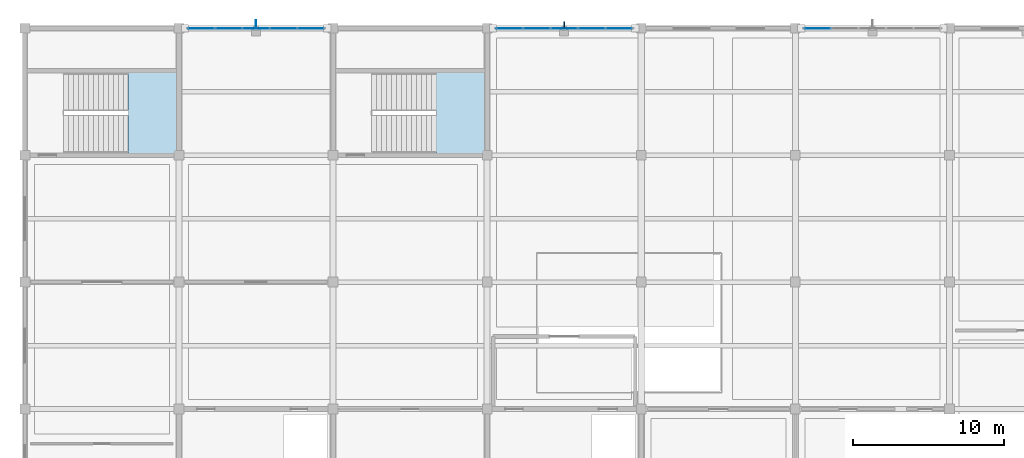
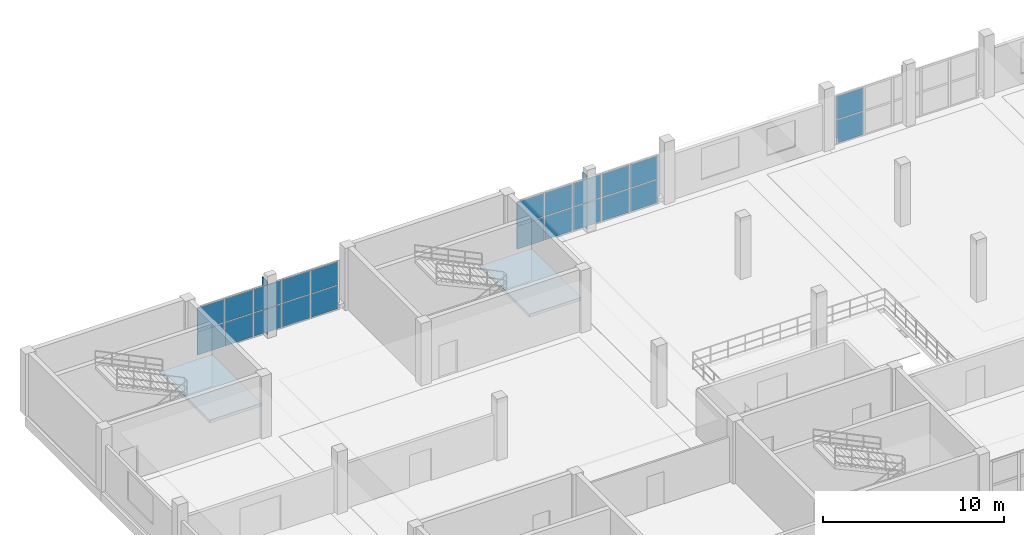
# One storey, part 114 of 135: 24 plates, 2 slabs, 5 elements without a shape of their own.
"""IFC4 building model written with IfcOpenShell, lengths in metres."""

import ifcopenshell
import ifcopenshell.guid

model = None  # the IFC model being written
_history = None  # IfcOwnerHistory: only IFC2X3 demands one
_inside = {}  # id of a spatial element -> (the spatial element, [elements in it])
_under = {}  # id of a project, library or spatial element -> (it, [spatial elements below it])
_declared = {}  # id of a project -> (the project, [libraries it declares])
_typed = {}  # id of a type object -> (the type object, [elements of that type])
_made_of = {}  # id of a material, layer set ... -> (it, [elements and type objects made of it])


def new_model(schema):
    """Start an empty IFC model of exactly this schema.

    Asked for "IFC4X3", IfcOpenShell would pick the latest addendum, in which some entities
    have other attributes; the version numbers below select the first issue.
    IFC2X3 requires an IfcOwnerHistory on every rooted entity: one is made here for all.
    """
    global model, _history
    if schema == "IFC4X3":
        model = ifcopenshell.file(schema_version=(4, 3, 0, 0))
    else:
        model = ifcopenshell.file(schema=schema)
    _inside.clear()
    _under.clear()
    _declared.clear()
    _typed.clear()
    _made_of.clear()
    _history = None
    if model.schema == "IFC2X3":
        org = make("IfcOrganization", Name="unknown")
        user = make(
            "IfcPersonAndOrganization",
            ThePerson=make("IfcPerson", FamilyName="unknown"),
            TheOrganization=org,
        )
        app = make(
            "IfcApplication",
            ApplicationDeveloper=org,
            Version="unknown",
            ApplicationFullName="unknown",
            ApplicationIdentifier="unknown",
        )
        _history = make(
            "IfcOwnerHistory",
            OwningUser=user,
            OwningApplication=app,
            ChangeAction="ADDED",
            CreationDate=0,
        )
    return model


def make(cls, **values):
    """One entity of the class cls with the attributes given. An attribute that is None is left unset."""
    return model.create_entity(
        cls, **{name: value for name, value in values.items() if value is not None}
    )


def rooted(cls, **values):
    """An entity with a GlobalId (a new one), such as an element, a storey or a relation."""
    return make(cls, GlobalId=ifcopenshell.guid.new(), OwnerHistory=_history, **values)


def si_unit(unit_type, name, prefix=None):
    """IfcSIUnit, for example si_unit("LENGTHUNIT", "METRE", prefix="MILLI")."""
    return make("IfcSIUnit", UnitType=unit_type, Prefix=prefix, Name=name)


def assignment(units):
    """IfcUnitAssignment: the units of a project."""
    return None if units is None else make("IfcUnitAssignment", Units=units)


def point(xyz):
    """IfcCartesianPoint."""
    return None if xyz is None else make("IfcCartesianPoint", Coordinates=xyz)


def direction(xyz):
    """IfcDirection."""
    return None if xyz is None else make("IfcDirection", DirectionRatios=xyz)


def frame(location, z_axis=None, x_axis=None):
    """IfcAxis2Placement3D, a coordinate frame: its origin and axes. An axis left out is left unset."""
    return make(
        "IfcAxis2Placement3D",
        Location=point(location),
        Axis=direction(z_axis),
        RefDirection=direction(x_axis),
    )


def frame_2d(location, x_axis=None):
    """IfcAxis2Placement2D, a coordinate frame in the plane: its origin and x axis."""
    return make(
        "IfcAxis2Placement2D", Location=point(location), RefDirection=direction(x_axis)
    )


def origin():
    """The frame at (0, 0, 0) with its axes left unset."""
    return frame((0.0, 0.0, 0.0))


def origin_2d():
    """The frame at (0, 0) in the plane with its x axis left unset."""
    return frame_2d((0.0, 0.0))


def place(relative_to, where):
    """IfcLocalPlacement: puts the frame where relative to a parent placement (None: the world)."""
    return make(
        "IfcLocalPlacement", PlacementRelTo=relative_to, RelativePlacement=where
    )


def context(
    kind, dimensions, precision=None, world=None, true_north=None, identifier=None
):
    """IfcGeometricRepresentationContext, for example the 3D "Model" context."""
    return make(
        "IfcGeometricRepresentationContext",
        ContextIdentifier=identifier,
        ContextType=kind,
        CoordinateSpaceDimension=dimensions,
        Precision=precision,
        WorldCoordinateSystem=world,
        TrueNorth=true_north,
    )


def subcontext(parent, identifier, kind, view, scale=None):
    """IfcGeometricRepresentationSubContext, for example "Body" below "Model"."""
    return make(
        "IfcGeometricRepresentationSubContext",
        ContextIdentifier=identifier,
        ContextType=kind,
        ParentContext=parent,
        TargetScale=scale,
        TargetView=view,
    )


def project(units=None, contexts=None):
    """IfcProject with its units and contexts."""
    return rooted(
        "IfcProject",
        Name="project",
        RepresentationContexts=contexts,
        UnitsInContext=assignment(units),
    )


def spatial(cls, under=None, at=None, **own):
    """A site, building, storey or space (cls), placed at a placement, below another one or the project."""
    s = rooted(cls, ObjectPlacement=at, **own)
    if under is not None:
        _under.setdefault(under.id(), (under, []))[1].append(s)
    return s


def polyline(points):
    """IfcPolyline through the points."""
    return make("IfcPolyline", Points=[point(p) for p in points])


def profile(cls, at=None, kind="AREA", **sizes):
    """A parametric profile (cls). Its sizes go by their IFC names, for example OverallWidth=200.0."""
    return make(cls, ProfileType=kind, Position=at, **sizes)


def rectangle(**sizes):
    """IfcRectangleProfileDef."""
    return profile("IfcRectangleProfileDef", **sizes)


def outline(outer, holes=None, kind="AREA"):
    """IfcArbitraryClosedProfileDef: a profile drawn as a closed curve; with holes, ...WithVoids."""
    if holes is None:
        return make("IfcArbitraryClosedProfileDef", ProfileType=kind, OuterCurve=outer)
    return make(
        "IfcArbitraryProfileDefWithVoids",
        ProfileType=kind,
        OuterCurve=outer,
        InnerCurves=holes,
    )


def extrude(swept, where, along, depth):
    """IfcExtrudedAreaSolid: the profile swept, set in the frame where, extruded along a direction by depth."""
    return make(
        "IfcExtrudedAreaSolid",
        SweptArea=swept,
        Position=where,
        ExtrudedDirection=direction(along),
        Depth=depth,
    )


def shape(context_of_items, identifier, shape_type, items):
    """IfcShapeRepresentation: the items that make up one representation, for example the "Body"."""
    return make(
        "IfcShapeRepresentation",
        ContextOfItems=context_of_items,
        RepresentationIdentifier=identifier,
        RepresentationType=shape_type,
        Items=items,
    )


def material(Name=None, Category=None):
    """IfcMaterial."""
    return make("IfcMaterial", Name=Name, Category=Category)


def layer(
    of_material, thickness, ventilated=None, Name=None, Category=None, Priority=None
):
    """IfcMaterialLayer: one layer of a wall or slab, of a material (None: an air gap)."""
    return make(
        "IfcMaterialLayer",
        Material=of_material,
        LayerThickness=thickness,
        IsVentilated=ventilated,
        Name=Name,
        Category=Category,
        Priority=Priority,
    )


def layer_set(layers, Name=None):
    """IfcMaterialLayerSet."""
    return make("IfcMaterialLayerSet", MaterialLayers=layers, LayerSetName=Name)


def made_of(thing, what):
    """Note that an element or type object is made of a material, layer set ...; save() writes the relation."""
    if what is not None:
        _made_of.setdefault(what.id(), (what, []))[1].append(thing)
    return thing


def type_object(cls, material=None, **own):
    """A type object (cls), such as IfcWallType, which elements share."""
    return made_of(rooted(cls, **own), material)


def element(
    cls,
    number,
    at=None,
    inside=None,
    cuts=None,
    type_object=None,
    material=None,
    context=None,
    identifier="Body",
    shape_type=None,
    held_by="IfcProductDefinitionShape",
    body=None,
    shapes=None,
    **own,
):
    """One element of the class cls, such as IfcWall. Its Tag is "e" and its number.

    at: its placement. inside: the storey or other place that contains it. cuts: it is an
    opening in that element (IfcRelVoidsElement). A single representation is given by context,
    identifier, shape_type and body (its items); several are given by shapes. held_by: the class
    of the entity that holds the representations. save() writes the other relations.
    """
    e = rooted(cls, Tag="e%d" % number, ObjectPlacement=at, **own)
    if body is not None:
        shapes = [shape(context, identifier, shape_type, body)]
    if shapes is not None:
        e.Representation = make(held_by, Representations=shapes)
    if inside is not None:
        _inside.setdefault(inside.id(), (inside, []))[1].append(e)
    if cuts is not None:
        rooted(
            "IfcRelVoidsElement", RelatingBuildingElement=cuts, RelatedOpeningElement=e
        )
    if type_object is not None:
        _typed.setdefault(type_object.id(), (type_object, []))[1].append(e)
    return made_of(e, material)


def aggregate(whole, parts):
    """IfcRelAggregates: a whole, such as a stair, and the parts it consists of."""
    return rooted("IfcRelAggregates", RelatingObject=whole, RelatedObjects=parts)


def save(model, path):
    """Write the relations noted so far, then the file.

    IfcRelAggregates (storeys below a building ...), IfcRelContainedInSpatialStructure (elements
    in a storey), IfcRelDefinesByType, IfcRelAssociatesMaterial and IfcRelDeclares: one each for
    every whole, place, type object, material and project.
    """
    for whole, parts in _under.values():
        aggregate(whole, parts)
    for where, things in _inside.values():
        rooted(
            "IfcRelContainedInSpatialStructure",
            RelatedElements=things,
            RelatingStructure=where,
        )
    for kind, things in _typed.values():
        rooted("IfcRelDefinesByType", RelatedObjects=things, RelatingType=kind)
    for what, things in _made_of.values():
        rooted("IfcRelAssociatesMaterial", RelatedObjects=things, RelatingMaterial=what)
    for by, libraries in _declared.values():
        rooted("IfcRelDeclares", RelatingContext=by, RelatedDefinitions=libraries)
    model.write(path)


model = new_model("IFC4")

# Units and contexts
model_context = context("Model", 3, precision=1e-05, world=origin(), true_north=direction((0.0, 1.0)))
body_context = subcontext(model_context, "Body", "Model", "MODEL_VIEW")
ifc_project = project(units=[si_unit("LENGTHUNIT", "METRE"), si_unit("AREAUNIT", "SQUARE_METRE"), si_unit("VOLUMEUNIT", "CUBIC_METRE"), si_unit("PLANEANGLEUNIT", "RADIAN"), si_unit("MASSUNIT", "GRAM", prefix="KILO")], contexts=[model_context])

# Site, building, storey
site_placement = place(None, origin())
site = spatial("IfcSite", under=ifc_project, at=site_placement, CompositionType="ELEMENT")
building_placement = place(site_placement, origin())
building = spatial("IfcBuilding", under=site, at=building_placement, Name="Brelvane Convention Centre", CompositionType="ELEMENT")
storey_placement = place(building_placement, frame((0.0, 0.0, 15.0)))
storey = spatial("IfcBuildingStorey", under=building, at=storey_placement, Name="L03", CompositionType="ELEMENT", Elevation=15.0)

# Curtain wall, plates
ifc_material_1 = material(Name="Anodised Aluminium Alloy 6063-T6", Category="aluminium")
curtain_wall_type = type_object("IfcCurtainWallType", Name="Curtain Wall CW-BOUL", PredefinedType="USERDEFINED", material=ifc_material_1)
curtain_wall_1_placement = place(storey_placement, origin())
curtain_wall_1 = element("IfcCurtainWall", 1, at=curtain_wall_1_placement, inside=storey, type_object=curtain_wall_type, Name="Curtain Wall CW-BOUL L03-V4N-02", ObjectType="UNITISED", PredefinedType="USERDEFINED")
ifc_material_2 = material(Name="Double Glazed Low-E Laminated Unit")
ifc_layer_1 = layer(ifc_material_2, 0.0380859375)
ifc_layer_set_1 = layer_set([ifc_layer_1], Name="Double Glazed Low-E Laminated Unit")
plate_type_1 = type_object("IfcPlateType", Name="Curtain Panel CW-PG2", PredefinedType="CURTAIN_PANEL", material=ifc_layer_set_1)
plate_1_placement = place(storey_placement, frame((11.67626953125, 144.0, 0.06005859375), z_axis=(0.0, 0.0, 1.0), x_axis=(1.0, 0.0, 0.0)))
plate_1 = element("IfcPlate", 2, at=plate_1_placement, type_object=plate_type_1, Name="CW-BOUL panel 1.1", PredefinedType="CURTAIN_PANEL", context=body_context, shape_type="SweptSolid", body=[
    extrude(rectangle(XDim=1.722412109375, YDim=0.0380859375, at=origin_2d()), origin(), (0.0, 0.0, 1.0), 1.56005859375),
])
plate_2_placement = place(storey_placement, frame((11.67626953125, 144.0, 1.679931640625), z_axis=(0.0, 0.0, 1.0), x_axis=(1.0, 0.0, 0.0)))
plate_2 = element("IfcPlate", 3, at=plate_2_placement, type_object=plate_type_1, Name="CW-BOUL panel 1.2", PredefinedType="CURTAIN_PANEL", context=body_context, shape_type="SweptSolid", body=[
    extrude(rectangle(XDim=1.722412109375, YDim=0.0380859375, at=origin_2d()), origin(), (0.0, 0.0, 1.0), 1.56005859375),
])
plate_3_placement = place(storey_placement, frame((13.47998046875, 144.0, 0.06005859375), z_axis=(0.0, 0.0, 1.0), x_axis=(1.0, 0.0, 0.0)))
plate_3 = element("IfcPlate", 4, at=plate_3_placement, type_object=plate_type_1, Name="CW-BOUL panel 2.1", PredefinedType="CURTAIN_PANEL", context=body_context, shape_type="SweptSolid", body=[
    extrude(rectangle(XDim=1.7548828125, YDim=0.0380859375, at=origin_2d()), origin(), (0.0, 0.0, 1.0), 1.56005859375),
])
plate_4_placement = place(storey_placement, frame((13.47998046875, 144.0, 1.679931640625), z_axis=(0.0, 0.0, 1.0), x_axis=(1.0, 0.0, 0.0)))
plate_4 = element("IfcPlate", 5, at=plate_4_placement, type_object=plate_type_1, Name="CW-BOUL panel 2.2", PredefinedType="CURTAIN_PANEL", context=body_context, shape_type="SweptSolid", body=[
    extrude(rectangle(XDim=1.7548828125, YDim=0.0380859375, at=origin_2d()), origin(), (0.0, 0.0, 1.0), 1.56005859375),
])
plate_5_placement = place(storey_placement, frame((15.300048828125, 144.0, 0.06005859375), z_axis=(0.0, 0.0, 1.0), x_axis=(1.0, 0.0, 0.0)))
plate_5 = element("IfcPlate", 6, at=plate_5_placement, type_object=plate_type_1, Name="CW-BOUL panel 3.1", PredefinedType="CURTAIN_PANEL", context=body_context, shape_type="SweptSolid", body=[
    extrude(rectangle(XDim=1.7548828125, YDim=0.0380859375, at=origin_2d()), origin(), (0.0, 0.0, 1.0), 1.56005859375),
])
plate_6_placement = place(storey_placement, frame((15.300048828125, 144.0, 1.679931640625), z_axis=(0.0, 0.0, 1.0), x_axis=(1.0, 0.0, 0.0)))
plate_6 = element("IfcPlate", 7, at=plate_6_placement, type_object=plate_type_1, Name="CW-BOUL panel 3.2", PredefinedType="CURTAIN_PANEL", context=body_context, shape_type="SweptSolid", body=[
    extrude(rectangle(XDim=1.7548828125, YDim=0.0380859375, at=origin_2d()), origin(), (0.0, 0.0, 1.0), 1.56005859375),
])
plate_7_placement = place(storey_placement, frame((17.1201171875, 144.0, 0.06005859375), z_axis=(0.0, 0.0, 1.0), x_axis=(1.0, 0.0, 0.0)))
plate_7 = element("IfcPlate", 8, at=plate_7_placement, type_object=plate_type_1, Name="CW-BOUL panel 4.1", PredefinedType="CURTAIN_PANEL", context=body_context, shape_type="SweptSolid", body=[
    extrude(rectangle(XDim=1.7548828125, YDim=0.0380859375, at=origin_2d()), origin(), (0.0, 0.0, 1.0), 1.56005859375),
])
plate_8_placement = place(storey_placement, frame((17.1201171875, 144.0, 1.679931640625), z_axis=(0.0, 0.0, 1.0), x_axis=(1.0, 0.0, 0.0)))
plate_8 = element("IfcPlate", 9, at=plate_8_placement, type_object=plate_type_1, Name="CW-BOUL panel 4.2", PredefinedType="CURTAIN_PANEL", context=body_context, shape_type="SweptSolid", body=[
    extrude(rectangle(XDim=1.7548828125, YDim=0.0380859375, at=origin_2d()), origin(), (0.0, 0.0, 1.0), 1.56005859375),
])
plate_9_placement = place(storey_placement, frame((18.923828125, 144.0, 0.06005859375), z_axis=(0.0, 0.0, 1.0), x_axis=(1.0, 0.0, 0.0)))
plate_9 = element("IfcPlate", 10, at=plate_9_placement, type_object=plate_type_1, Name="CW-BOUL panel 5.1", PredefinedType="CURTAIN_PANEL", context=body_context, shape_type="SweptSolid", body=[
    extrude(rectangle(XDim=1.722412109375, YDim=0.0380859375, at=origin_2d()), origin(), (0.0, 0.0, 1.0), 1.56005859375),
])
plate_10_placement = place(storey_placement, frame((18.923828125, 144.0, 1.679931640625), z_axis=(0.0, 0.0, 1.0), x_axis=(1.0, 0.0, 0.0)))
plate_10 = element("IfcPlate", 11, at=plate_10_placement, type_object=plate_type_1, Name="CW-BOUL panel 5.2", PredefinedType="CURTAIN_PANEL", context=body_context, shape_type="SweptSolid", body=[
    extrude(rectangle(XDim=1.722412109375, YDim=0.0380859375, at=origin_2d()), origin(), (0.0, 0.0, 1.0), 1.56005859375),
])
aggregate(curtain_wall_1, [plate_1, plate_2, plate_3, plate_4, plate_5, plate_6, plate_7, plate_8, plate_9, plate_10])

curtain_wall_2_placement = place(storey_placement, origin())
curtain_wall_2 = element("IfcCurtainWall", 12, at=curtain_wall_2_placement, inside=storey, type_object=curtain_wall_type, Name="Curtain Wall CW-BOUL L03-V4N-04", ObjectType="UNITISED", PredefinedType="USERDEFINED")
plate_11_placement = place(storey_placement, frame((32.076171875, 144.0, 0.06005859375), z_axis=(0.0, 0.0, 1.0), x_axis=(1.0, 0.0, 0.0)))
plate_11 = element("IfcPlate", 13, at=plate_11_placement, type_object=plate_type_1, Name="CW-BOUL panel 1.1", PredefinedType="CURTAIN_PANEL", context=body_context, shape_type="SweptSolid", body=[
    extrude(rectangle(XDim=1.722412109375, YDim=0.0380859375, at=origin_2d()), origin(), (0.0, 0.0, 1.0), 1.56005859375),
])
plate_12_placement = place(storey_placement, frame((32.076171875, 144.0, 1.679931640625), z_axis=(0.0, 0.0, 1.0), x_axis=(1.0, 0.0, 0.0)))
plate_12 = element("IfcPlate", 14, at=plate_12_placement, type_object=plate_type_1, Name="CW-BOUL panel 1.2", PredefinedType="CURTAIN_PANEL", context=body_context, shape_type="SweptSolid", body=[
    extrude(rectangle(XDim=1.722412109375, YDim=0.0380859375, at=origin_2d()), origin(), (0.0, 0.0, 1.0), 1.56005859375),
])
plate_13_placement = place(storey_placement, frame((33.8798828125, 144.0, 0.06005859375), z_axis=(0.0, 0.0, 1.0), x_axis=(1.0, 0.0, 0.0)))
plate_13 = element("IfcPlate", 15, at=plate_13_placement, type_object=plate_type_1, Name="CW-BOUL panel 2.1", PredefinedType="CURTAIN_PANEL", context=body_context, shape_type="SweptSolid", body=[
    extrude(rectangle(XDim=1.7548828125, YDim=0.0380859375, at=origin_2d()), origin(), (0.0, 0.0, 1.0), 1.56005859375),
])
plate_14_placement = place(storey_placement, frame((33.8798828125, 144.0, 1.679931640625), z_axis=(0.0, 0.0, 1.0), x_axis=(1.0, 0.0, 0.0)))
plate_14 = element("IfcPlate", 16, at=plate_14_placement, type_object=plate_type_1, Name="CW-BOUL panel 2.2", PredefinedType="CURTAIN_PANEL", context=body_context, shape_type="SweptSolid", body=[
    extrude(rectangle(XDim=1.7548828125, YDim=0.0380859375, at=origin_2d()), origin(), (0.0, 0.0, 1.0), 1.56005859375),
])
plate_15_placement = place(storey_placement, frame((35.699951171875, 144.0, 0.06005859375), z_axis=(0.0, 0.0, 1.0), x_axis=(1.0, 0.0, 0.0)))
plate_15 = element("IfcPlate", 17, at=plate_15_placement, type_object=plate_type_1, Name="CW-BOUL panel 3.1", PredefinedType="CURTAIN_PANEL", context=body_context, shape_type="SweptSolid", body=[
    extrude(rectangle(XDim=1.7548828125, YDim=0.0380859375, at=origin_2d()), origin(), (0.0, 0.0, 1.0), 1.56005859375),
])
plate_16_placement = place(storey_placement, frame((35.699951171875, 144.0, 1.679931640625), z_axis=(0.0, 0.0, 1.0), x_axis=(1.0, 0.0, 0.0)))
plate_16 = element("IfcPlate", 18, at=plate_16_placement, type_object=plate_type_1, Name="CW-BOUL panel 3.2", PredefinedType="CURTAIN_PANEL", context=body_context, shape_type="SweptSolid", body=[
    extrude(rectangle(XDim=1.7548828125, YDim=0.0380859375, at=origin_2d()), origin(), (0.0, 0.0, 1.0), 1.56005859375),
])
plate_17_placement = place(storey_placement, frame((37.52001953125, 144.0, 0.06005859375), z_axis=(0.0, 0.0, 1.0), x_axis=(1.0, 0.0, 0.0)))
plate_17 = element("IfcPlate", 19, at=plate_17_placement, type_object=plate_type_1, Name="CW-BOUL panel 4.1", PredefinedType="CURTAIN_PANEL", context=body_context, shape_type="SweptSolid", body=[
    extrude(rectangle(XDim=1.7548828125, YDim=0.0380859375, at=origin_2d()), origin(), (0.0, 0.0, 1.0), 1.56005859375),
])
plate_18_placement = place(storey_placement, frame((37.52001953125, 144.0, 1.679931640625), z_axis=(0.0, 0.0, 1.0), x_axis=(1.0, 0.0, 0.0)))
plate_18 = element("IfcPlate", 20, at=plate_18_placement, type_object=plate_type_1, Name="CW-BOUL panel 4.2", PredefinedType="CURTAIN_PANEL", context=body_context, shape_type="SweptSolid", body=[
    extrude(rectangle(XDim=1.7548828125, YDim=0.0380859375, at=origin_2d()), origin(), (0.0, 0.0, 1.0), 1.56005859375),
])
plate_19_placement = place(storey_placement, frame((39.32373046875, 144.0, 0.06005859375), z_axis=(0.0, 0.0, 1.0), x_axis=(1.0, 0.0, 0.0)))
plate_19 = element("IfcPlate", 21, at=plate_19_placement, type_object=plate_type_1, Name="CW-BOUL panel 5.1", PredefinedType="CURTAIN_PANEL", context=body_context, shape_type="SweptSolid", body=[
    extrude(rectangle(XDim=1.722412109375, YDim=0.0380859375, at=origin_2d()), origin(), (0.0, 0.0, 1.0), 1.56005859375),
])
plate_20_placement = place(storey_placement, frame((39.32373046875, 144.0, 1.679931640625), z_axis=(0.0, 0.0, 1.0), x_axis=(1.0, 0.0, 0.0)))
plate_20 = element("IfcPlate", 22, at=plate_20_placement, type_object=plate_type_1, Name="CW-BOUL panel 5.2", PredefinedType="CURTAIN_PANEL", context=body_context, shape_type="SweptSolid", body=[
    extrude(rectangle(XDim=1.722412109375, YDim=0.0380859375, at=origin_2d()), origin(), (0.0, 0.0, 1.0), 1.56005859375),
])
aggregate(curtain_wall_2, [plate_11, plate_12, plate_13, plate_14, plate_15, plate_16, plate_17, plate_18, plate_19, plate_20])

curtain_wall_3_placement = place(storey_placement, origin())
curtain_wall_3 = element("IfcCurtainWall", 23, at=curtain_wall_3_placement, inside=storey, type_object=curtain_wall_type, Name="Curtain Wall CW-BOUL L03-V4N-06", ObjectType="UNITISED", PredefinedType="USERDEFINED")
plate_21_placement = place(storey_placement, frame((52.476318359375, 144.0, 0.06005859375), z_axis=(0.0, 0.0, 1.0), x_axis=(1.0, 0.0, 0.0)))
plate_21 = element("IfcPlate", 24, at=plate_21_placement, type_object=plate_type_1, Name="CW-BOUL panel 1.1", PredefinedType="CURTAIN_PANEL", context=body_context, shape_type="SweptSolid", body=[
    extrude(rectangle(XDim=1.722412109375, YDim=0.0380859375, at=origin_2d()), origin(), (0.0, 0.0, 1.0), 1.56005859375),
])
plate_22_placement = place(storey_placement, frame((52.476318359375, 144.0, 1.679931640625), z_axis=(0.0, 0.0, 1.0), x_axis=(1.0, 0.0, 0.0)))
plate_22 = element("IfcPlate", 25, at=plate_22_placement, type_object=plate_type_1, Name="CW-BOUL panel 1.2", PredefinedType="CURTAIN_PANEL", context=body_context, shape_type="SweptSolid", body=[
    extrude(rectangle(XDim=1.722412109375, YDim=0.0380859375, at=origin_2d()), origin(), (0.0, 0.0, 1.0), 1.56005859375),
])
aggregate(curtain_wall_3, [plate_21, plate_22])

# Plates
ifc_material_3 = material(Name="Patinated Copper-Bronze Alloy C22000")
ifc_layer_2 = layer(ifc_material_3, 0.0400390625)
ifc_layer_set_2 = layer_set([ifc_layer_2], Name="Patinated Copper-Bronze Alloy C22000")
plate_type_2 = type_object("IfcPlateType", Name="Monsoon Sun Fin FN-CU1", PredefinedType="USERDEFINED", material=ifc_layer_set_2)
plate_23_placement = place(storey_placement, frame((35.699951171875, 144.22509765625, -0.150146484375), z_axis=(0.0, 0.0, 1.0), x_axis=(1.0, 0.0, 0.0)))
element("IfcPlate", 26, at=plate_23_placement, inside=storey, type_object=plate_type_2, Name="Rear Wing Monsoon Sun Fin L03-F4", ObjectType="SHADING_DEVICE", PredefinedType="USERDEFINED", context=body_context, shape_type="SweptSolid", body=[
    extrude(rectangle(XDim=0.0400390625, YDim=0.449951171875, at=origin_2d()), origin(), (0.0, 0.0, 1.0), 3.60009765625),
])
ifc_material_4 = material(Name="Patinated Copper-Bronze Alloy C22000")
ifc_layer_3 = layer(ifc_material_4, 0.044921875)
ifc_layer_set_3 = layer_set([ifc_layer_3], Name="Patinated Copper-Bronze Alloy C22000")
plate_type_3 = type_object("IfcPlateType", Name="Monsoon Sun Fin FN-CU2", PredefinedType="USERDEFINED", material=ifc_layer_set_3)
plate_24_placement = place(storey_placement, frame((15.300048828125, 144.27490234375, -0.150146484375), z_axis=(0.0, 0.0, 1.0), x_axis=(1.0, 0.0, 0.0)))
element("IfcPlate", 27, at=plate_24_placement, inside=storey, type_object=plate_type_3, Name="Rear Wing Monsoon Sun Fin L03-F2", ObjectType="SHADING_DEVICE", PredefinedType="USERDEFINED", context=body_context, shape_type="SweptSolid", body=[
    extrude(rectangle(XDim=0.044921875, YDim=0.550048828125, at=origin_2d()), origin(), (0.0, 0.0, 1.0), 3.60009765625),
])

# Stair, slab
ifc_material_5 = material(Name="Concrete M40", Category="concrete")
stair_type = type_object("IfcStairType", Name="Exit Stair ST-CORE", PredefinedType="HALF_TURN_STAIR", material=ifc_material_5)
stair_1_placement = place(storey_placement, origin())
stair_1 = element("IfcStair", 28, at=stair_1_placement, inside=storey, type_object=stair_type, Name="Exit Stair ST-13 (L03 to L04)", PredefinedType="HALF_TURN_STAIR")
ifc_material_6 = material(Name="Concrete M40", Category="concrete")
ifc_layer_4 = layer(ifc_material_6, 0.199951171875)
ifc_layer_set_4 = layer_set([ifc_layer_4], Name="Concrete M40")
slab_type = type_object("IfcSlabType", Name="Stair Landing SL-LND-200", PredefinedType="LANDING", material=ifc_layer_set_4)
slab_1_placement = place(storey_placement, frame((0.0, 0.0, 1.89990234375)))
slab_1 = element("IfcSlab", 29, at=slab_1_placement, type_object=slab_type, Name="Stair ST-13 L03 Half Landing", PredefinedType="LANDING", context=body_context, shape_type="SweptSolid", body=[
    extrude(outline(polyline([(27.2099609375, 135.679931640625), (30.52001953125, 135.679931640625), (30.52001953125, 141.1201171875), (27.2099609375, 141.1201171875), (27.2099609375, 135.679931640625)])), origin(), (0.0, 0.0, 1.0), 0.2001953125),
])
aggregate(stair_1, [slab_1])

stair_2_placement = place(storey_placement, origin())
stair_2 = element("IfcStair", 30, at=stair_2_placement, inside=storey, type_object=stair_type, Name="Exit Stair ST-17 (L03 to L04)", PredefinedType="HALF_TURN_STAIR")
slab_2_placement = place(storey_placement, frame((0.0, 0.0, 1.89990234375)))
slab_2 = element("IfcSlab", 31, at=slab_2_placement, type_object=slab_type, Name="Stair ST-17 L03 Half Landing", PredefinedType="LANDING", context=body_context, shape_type="SweptSolid", body=[
    extrude(outline(polyline([(6.81005859375, 135.679931640625), (10.1201171875, 135.679931640625), (10.1201171875, 141.1201171875), (6.81005859375, 141.1201171875), (6.81005859375, 135.679931640625)])), origin(), (0.0, 0.0, 1.0), 0.2001953125),
])
aggregate(stair_2, [slab_2])

save(model, "model.ifc")
